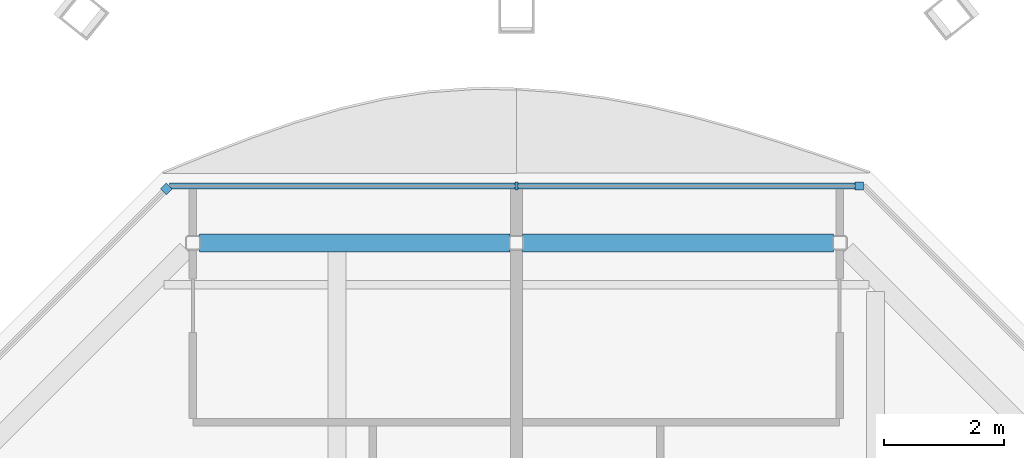
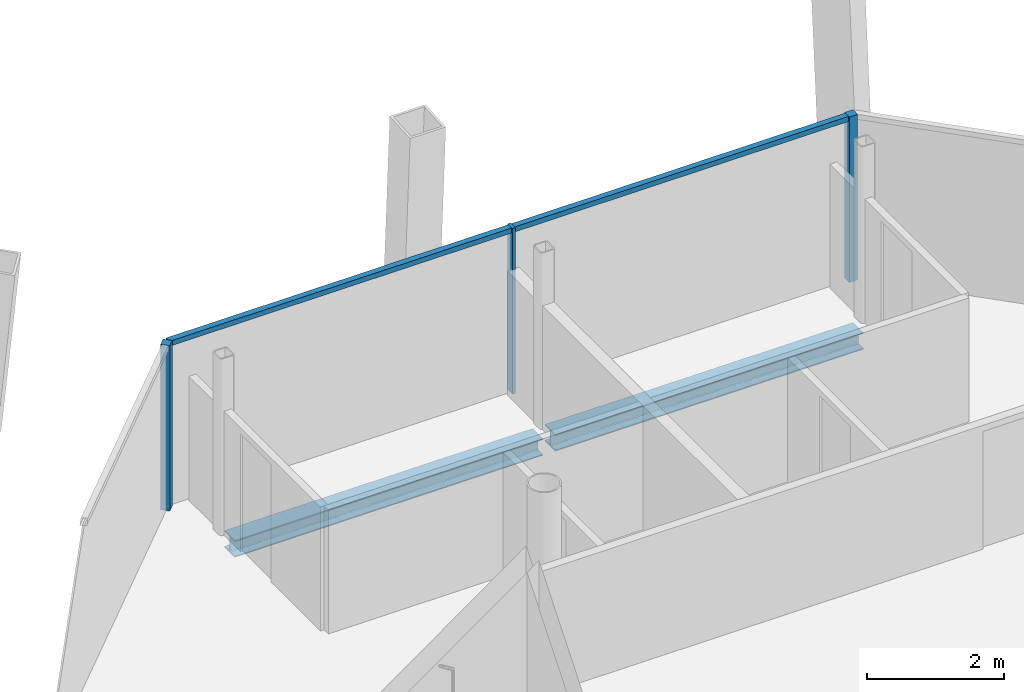
# One storey, part 7 of 13: 5 members, 2 beams, 2 elements without a shape of their own.
"""IFC4 building model written with IfcOpenShell, lengths in metres."""

from ifc_helpers import new_model, si_unit, direction, frame, origin, origin_2d, place, context, subcontext, project, spatial, rectangle, i_section, extrude, material, material_profile, profile_set, type_object, element, aggregate, save


model = new_model("IFC4")

# Units and contexts
model_context = context("Model", 3, precision=1e-05, world=origin(), true_north=direction((0.0, 1.0)))
body_context = subcontext(model_context, "Body", "Model", "MODEL_VIEW")
ifc_project = project(units=[si_unit("LENGTHUNIT", "METRE"), si_unit("AREAUNIT", "SQUARE_METRE"), si_unit("VOLUMEUNIT", "CUBIC_METRE"), si_unit("PLANEANGLEUNIT", "RADIAN"), si_unit("MASSUNIT", "GRAM", prefix="KILO")], contexts=[model_context])

# Site, building, storey
site_placement = place(None, origin())
site = spatial("IfcSite", under=ifc_project, at=site_placement, CompositionType="ELEMENT")
building_placement = place(site_placement, origin())
building = spatial("IfcBuilding", under=site, at=building_placement, Name="Tskaro Facet Tower", CompositionType="ELEMENT")
storey_placement = place(building_placement, frame((0.0, 0.0, 291.0)))
storey = spatial("IfcBuildingStorey", under=building, at=storey_placement, Name="L78", CompositionType="ELEMENT", Elevation=291.0)

# Curtain wall, member
ifc_material_1 = material(Name="Bronze anodised aluminium 6063-T6", Category="aluminium")
curtain_wall_type = type_object("IfcCurtainWallType", Name="Bronze residence curtain wall (FW3)", PredefinedType="NOTDEFINED", material=ifc_material_1)
curtain_wall_1_placement = place(storey_placement, origin())
curtain_wall_1 = element("IfcCurtainWall", 1, at=curtain_wall_1_placement, inside=storey, type_object=curtain_wall_type, Name="FW3 north facet L78", PredefinedType="NOTDEFINED")
ifc_material_profile_1 = material_profile(ifc_material_1, rectangle(XDim=0.139892578125, YDim=0.139892578125, at=origin_2d()), Name="Corner post 140x140")
ifc_profile_set_1 = profile_set([ifc_material_profile_1], Name="Bronze anodised aluminium 6063-T6")
member_type_1 = type_object("IfcMemberType", Name="FW3 bronze corner post 140x140", PredefinedType="MULLION", material=ifc_profile_set_1)
member_1_placement = place(storey_placement, frame((8.72607421875, 15.14990234375, 0.0), z_axis=(0.0, 0.0, 1.0), x_axis=(-1.0, 0.0, 0.0)))
member_1 = element("IfcMember", 2, at=member_1_placement, type_object=member_type_1, Name="FW3 north corner post", PredefinedType="MULLION", context=body_context, shape_type="SweptSolid", body=[
    extrude(rectangle(XDim=0.139892578125, YDim=0.139892578125, at=origin_2d()), origin(), (0.0, 0.0, 1.0), 2.949951171875),
])

curtain_wall_2_placement = place(storey_placement, origin())
curtain_wall_2 = element("IfcCurtainWall", 3, at=curtain_wall_2_placement, inside=storey, type_object=curtain_wall_type, Name="FW3 north-west facet L78", PredefinedType="NOTDEFINED")
member_2_placement = place(storey_placement, frame((-2.845458984375, 15.1005859375, 0.0), z_axis=(0.0, 0.0, 1.0), x_axis=(-0.707106781187, -0.707106781187, 0.0)))
member_2 = element("IfcMember", 4, at=member_2_placement, type_object=member_type_1, Name="FW3 north-west corner post", PredefinedType="MULLION", context=body_context, shape_type="SweptSolid", body=[
    extrude(rectangle(XDim=0.139892578125, YDim=0.139892578125, at=origin_2d()), origin(), (0.0, 0.0, 1.0), 2.949951171875),
])
aggregate(curtain_wall_2, [member_2])

# Member
ifc_material_profile_2 = material_profile(ifc_material_1, rectangle(XDim=0.050048828125, YDim=0.139892578125, at=origin_2d()), Name="Mullion 50x140")
ifc_profile_set_2 = profile_set([ifc_material_profile_2], Name="Bronze anodised aluminium 6063-T6")
member_type_2 = type_object("IfcMemberType", Name="FW3 bronze mullion 50x140", PredefinedType="MULLION", material=ifc_profile_set_2)
member_3_placement = place(storey_placement, frame((3.0, 15.14990234375, 0.0), z_axis=(0.0, 0.0, 1.0), x_axis=(-1.0, 0.0, 0.0)))
member_3 = element("IfcMember", 5, at=member_3_placement, type_object=member_type_2, Name="FW3 north mullion 1", PredefinedType="MULLION", context=body_context, shape_type="SweptSolid", body=[
    extrude(rectangle(XDim=0.050048828125, YDim=0.139892578125, at=origin_2d()), origin(), (0.0, 0.0, 1.0), 2.949951171875),
])

ifc_material_profile_3 = material_profile(ifc_material_1, rectangle(XDim=0.10009765625, YDim=0.090087890625, at=origin_2d()), Name="Transom 100x90")
ifc_profile_set_3 = profile_set([ifc_material_profile_3], Name="Bronze anodised aluminium 6063-T6")
member_type_3 = type_object("IfcMemberType", Name="FW3 bronze transom 100x90", PredefinedType="USERDEFINED", material=ifc_profile_set_3)
member_4_placement = place(storey_placement, frame((8.656005859375, 15.14990234375, 2.905029296875), z_axis=(-1.0, 0.0, 0.0), x_axis=(0.0, -1.0, 0.0)))
member_4 = element("IfcMember", 6, at=member_4_placement, type_object=member_type_3, Name="FW3 north transom 1.1", ObjectType="TRANSOM", PredefinedType="USERDEFINED", context=body_context, shape_type="SweptSolid", body=[
    extrude(rectangle(XDim=0.10009765625, YDim=0.090087890625, at=origin_2d()), origin(), (0.0, 0.0, 1.0), 5.631103515625),
])

member_5_placement = place(storey_placement, frame((2.97509765625, 15.14990234375, 2.905029296875), z_axis=(-1.0, 0.0, 0.0), x_axis=(0.0, -1.0, 0.0)))
member_5 = element("IfcMember", 7, at=member_5_placement, type_object=member_type_3, Name="FW3 north transom 2.1", ObjectType="TRANSOM", PredefinedType="USERDEFINED", context=body_context, shape_type="SweptSolid", body=[
    extrude(rectangle(XDim=0.10009765625, YDim=0.090087890625, at=origin_2d()), origin(), (0.0, 0.0, 1.0), 5.77099609375),
])

aggregate(curtain_wall_1, [member_1, member_3, member_4, member_5])

# Beams
ifc_material_2 = material(Name="Steel S355J2", Category="steel")
ifc_material_profile_4 = material_profile(ifc_material_2, i_section(OverallWidth=0.300048828125, OverallDepth=0.300048828125, WebThickness=0.010986328125, FlangeThickness=0.01904296875, FilletRadius=0.027099609375, at=origin_2d()), Name="HE 300 B")
ifc_profile_set_4 = profile_set([ifc_material_profile_4], Name="Steel S355J2")
beam_type = type_object("IfcBeamType", Name="HE 300 B ring beam", PredefinedType="BEAM", material=ifc_profile_set_4)
for number, where, z_axis, x_axis, name in (
    (8, (8.298095703125, 14.199951171875, -0.2900390625), (-1.0, 0.0, 0.0), (0.0, -1.0, 0.0), "HE 300 B EB9-6"),
    (9, (2.89501953125, 14.199951171875, -0.2900390625), (-1.0, 0.0, 0.0), (0.0, -1.0, 0.0), "HE 300 B EB10-6"),
):
    element("IfcBeam", number, at=place(storey_placement, frame(where, z_axis=z_axis, x_axis=x_axis)), inside=storey, type_object=beam_type, Name=name, PredefinedType="BEAM", context=body_context, shape_type="SweptSolid", body=[
        extrude(i_section(OverallWidth=0.300048828125, OverallDepth=0.300048828125, WebThickness=0.010986328125, FlangeThickness=0.01904296875, FilletRadius=0.027099609375, at=origin_2d()), origin(), (0.0, 0.0, 1.0), 5.193115234375),
    ])

save(model, "model.ifc")
